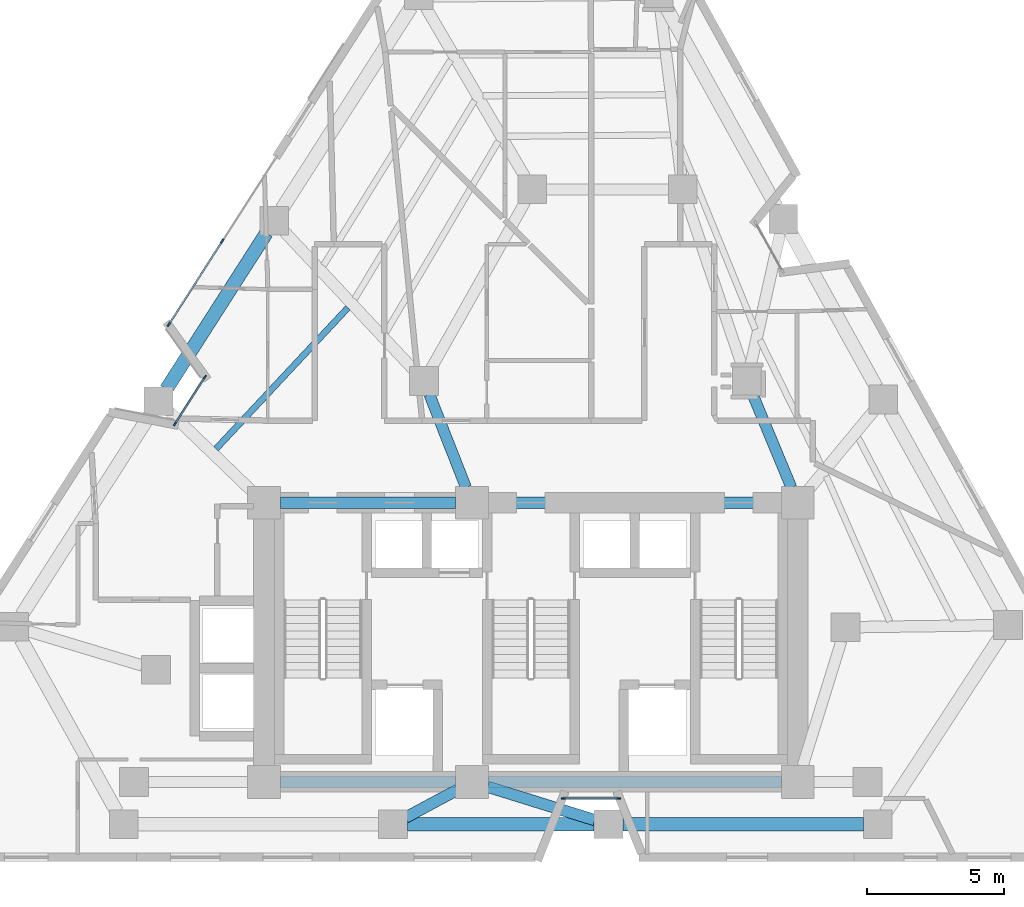
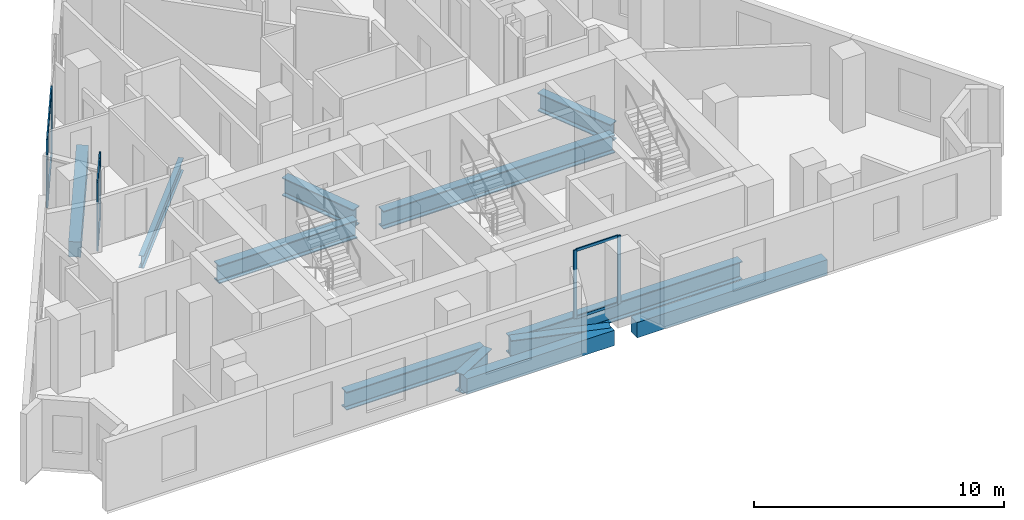
# One storey, part 2 of 11: 12 beams, 12 members, 3 elements without a shape of their own.
"""IFC4 building model written with IfcOpenShell, lengths in metres."""

from ifc_helpers import new_model, si_unit, direction, frame, origin, origin_2d, place, context, subcontext, project, spatial, rectangle, i_section, extrude, material, layer, layer_set, material_profile, profile_set, type_object, element, aggregate, save


model = new_model("IFC4")

# Units and contexts
model_context = context("Model", 3, precision=1e-05, world=origin(), true_north=direction((0.0, 1.0)))
body_context = subcontext(model_context, "Body", "Model", "MODEL_VIEW")
ifc_project = project(units=[si_unit("LENGTHUNIT", "METRE"), si_unit("AREAUNIT", "SQUARE_METRE"), si_unit("VOLUMEUNIT", "CUBIC_METRE"), si_unit("PLANEANGLEUNIT", "RADIAN"), si_unit("MASSUNIT", "GRAM", prefix="KILO")], contexts=[model_context])

# Site, building, storey
site_placement = place(None, origin())
site = spatial("IfcSite", under=ifc_project, at=site_placement, CompositionType="ELEMENT")
building_placement = place(site_placement, origin())
building = spatial("IfcBuilding", under=site, at=building_placement, Name="Almagre Mirador Tower", CompositionType="ELEMENT")
storey_placement = place(building_placement, frame((0.0, 0.0, 168.0)))
storey = spatial("IfcBuildingStorey", under=building, at=storey_placement, Name="L43", CompositionType="ELEMENT", Elevation=168.0)

# Beams
ifc_material_1 = material(Name="Steel ASTM A992 Grade 50", Category="steel")
ifc_material_profile_1 = material_profile(ifc_material_1, i_section(OverallWidth=0.22802734375, OverallDepth=0.60791015625, WebThickness=0.01123046875, FlangeThickness=0.017333984375, FilletRadius=0.02001953125, at=origin_2d()), Name="W24X76")
ifc_profile_set_1 = profile_set([ifc_material_profile_1], Name="Steel ASTM A992 Grade 50")
beam_type_1 = type_object("IfcBeamType", Name="BM-JST-W24X76", PredefinedType="JOIST", material=ifc_profile_set_1)
beam_1_placement = place(storey_placement, frame((30.613525390625, 21.8701171875, -0.553955078125), z_axis=(-0.683046255711, -0.730375117703, 0.0), x_axis=(0.730375117703, -0.683046255711, 0.0)))
element("IfcBeam", 1, at=beam_1_placement, inside=storey, type_object=beam_type_1, Name="L43 secondary floor joist PC10-PC11.2", PredefinedType="JOIST", context=body_context, shape_type="SweptSolid", body=[
    extrude(i_section(OverallWidth=0.22802734375, OverallDepth=0.60791015625, WebThickness=0.01123046875, FlangeThickness=0.017333984375, FilletRadius=0.02001953125, at=origin_2d()), origin(), (0.0, 0.0, 1.0), 7.04638671875),
])
ifc_material_2 = material(Name="Precast concrete C50/60", Category="concrete")
ifc_material_profile_2 = material_profile(ifc_material_2, rectangle(XDim=0.5, YDim=0.75, at=origin_2d()), Name="RC500X750")
ifc_profile_set_2 = profile_set([ifc_material_profile_2], Name="Precast concrete C50/60")
beam_type_2 = type_object("IfcBeamType", Name="BM-SPN-RC500X750", PredefinedType="SPANDREL", material=ifc_profile_set_2)
beam_2_placement = place(storey_placement, frame((32.7890625, 3.0, -0.625), z_axis=(1.0, 0.0, 0.0), x_axis=(0.0, 1.0, 0.0)))
element("IfcBeam", 2, at=beam_2_placement, inside=storey, type_object=beam_type_2, Name="L43 perimeter spandrel beam PC02-PC03", PredefinedType="SPANDREL", context=body_context, shape_type="SweptSolid", body=[
    extrude(rectangle(XDim=0.5, YDim=0.75, at=origin_2d()), origin(), (0.0, 0.0, 1.0), 6.822021484375),
])
beam_3_placement = place(storey_placement, frame((40.660888671875, 3.0, -0.625), z_axis=(1.0, 0.0, 0.0), x_axis=(0.0, 1.0, 0.0)))
element("IfcBeam", 3, at=beam_3_placement, inside=storey, type_object=beam_type_2, Name="L43 perimeter spandrel beam PC03-PC04", PredefinedType="SPANDREL", context=body_context, shape_type="SweptSolid", body=[
    extrude(rectangle(XDim=0.5, YDim=0.75, at=origin_2d()), origin(), (0.0, 0.0, 1.0), 8.7900390625),
])
beam_4_placement = place(storey_placement, frame((27.638916015625, 24.60693359375, -0.625), z_axis=(-0.539533906924, -0.841963872906, 0.0), x_axis=(0.841963872906, -0.539533906924, 0.0)))
element("IfcBeam", 4, at=beam_4_placement, inside=storey, type_object=beam_type_2, Name="L43 perimeter spandrel beam PC10-PC11", PredefinedType="SPANDREL", context=body_context, shape_type="SweptSolid", body=[
    extrude(rectangle(XDim=0.5, YDim=0.75, at=origin_2d()), origin(), (0.0, 0.0, 1.0), 6.779296875),
])
ifc_material_3 = material(Name="Steel ASTM A992 Grade 50", Category="steel")
ifc_material_profile_3 = material_profile(ifc_material_3, i_section(OverallWidth=0.404052734375, OverallDepth=0.884033203125, WebThickness=0.0244140625, FlangeThickness=0.0439453125, FilletRadius=0.02490234375, at=origin_2d()), Name="W33X291")
ifc_profile_set_3 = profile_set([ifc_material_profile_3], Name="Steel ASTM A992 Grade 50")
beam_type_3 = type_object("IfcBeamType", Name="BM-STL-W33X291", PredefinedType="BEAM", material=ifc_profile_set_3)
beam_5_placement = place(storey_placement, frame((28.14990234375, 4.550048828125, -0.69189453125), z_axis=(1.0, 0.0, 0.0), x_axis=(0.0, 1.0, 0.0)))
element("IfcBeam", 5, at=beam_5_placement, inside=storey, type_object=beam_type_3, Name="L43 core tie girder CC1-CC2", PredefinedType="BEAM", context=body_context, shape_type="SweptSolid", body=[
    extrude(i_section(OverallWidth=0.404052734375, OverallDepth=0.884033203125, WebThickness=0.0244140625, FlangeThickness=0.0439453125, FilletRadius=0.02490234375, at=origin_2d()), origin(), (0.0, 0.0, 1.0), 6.400146484375),
])
beam_6_placement = place(storey_placement, frame((35.75, 4.550048828125, -0.69189453125), z_axis=(1.0, 0.0, 0.0), x_axis=(0.0, 1.0, 0.0)))
element("IfcBeam", 6, at=beam_6_placement, inside=storey, type_object=beam_type_3, Name="L43 core tie girder CC2-CC3", PredefinedType="BEAM", context=body_context, shape_type="SweptSolid", body=[
    extrude(i_section(OverallWidth=0.404052734375, OverallDepth=0.884033203125, WebThickness=0.0244140625, FlangeThickness=0.0439453125, FilletRadius=0.02490234375, at=origin_2d()), origin(), (0.0, 0.0, 1.0), 10.699951171875),
])
beam_7_placement = place(storey_placement, frame((28.14990234375, 14.75, -0.69189453125), z_axis=(1.0, 0.0, 0.0), x_axis=(0.0, 1.0, 0.0)))
element("IfcBeam", 7, at=beam_7_placement, inside=storey, type_object=beam_type_3, Name="L43 core tie girder CC4-CC5", PredefinedType="BEAM", context=body_context, shape_type="SweptSolid", body=[
    extrude(i_section(OverallWidth=0.404052734375, OverallDepth=0.884033203125, WebThickness=0.0244140625, FlangeThickness=0.0439453125, FilletRadius=0.02490234375, at=origin_2d()), origin(), (0.0, 0.0, 1.0), 6.400146484375),
])
beam_8_placement = place(storey_placement, frame((35.75, 14.75, -0.69189453125), z_axis=(1.0, 0.0, 0.0), x_axis=(0.0, 1.0, 0.0)))
element("IfcBeam", 8, at=beam_8_placement, inside=storey, type_object=beam_type_3, Name="L43 core tie girder CC5-CC6", PredefinedType="BEAM", context=body_context, shape_type="SweptSolid", body=[
    extrude(i_section(OverallWidth=0.404052734375, OverallDepth=0.884033203125, WebThickness=0.0244140625, FlangeThickness=0.0439453125, FilletRadius=0.02490234375, at=origin_2d()), origin(), (0.0, 0.0, 1.0), 10.699951171875),
])
beam_9_placement = place(storey_placement, frame((45.401611328125, 18.715087890625, -0.69189453125), z_axis=(0.383845645019, -0.923397271384, 0.0), x_axis=(0.923397271384, 0.383845645019, 0.0)))
element("IfcBeam", 9, at=beam_9_placement, inside=storey, type_object=beam_type_3, Name="L43 core tie girder MC5-CC6", PredefinedType="BEAM", context=body_context, shape_type="SweptSolid", body=[
    extrude(i_section(OverallWidth=0.404052734375, OverallDepth=0.884033203125, WebThickness=0.0244140625, FlangeThickness=0.0439453125, FilletRadius=0.02490234375, at=origin_2d()), origin(), (0.0, 0.0, 1.0), 3.694091796875),
])
beam_10_placement = place(storey_placement, frame((33.592041015625, 18.71142578125, -0.69189453125), z_axis=(0.365997304164, -0.930615910752, 0.0), x_axis=(0.930615910752, 0.365997304164, 0.0)))
element("IfcBeam", 10, at=beam_10_placement, inside=storey, type_object=beam_type_3, Name="L43 core tie girder MC8-CC5", PredefinedType="BEAM", context=body_context, shape_type="SweptSolid", body=[
    extrude(i_section(OverallWidth=0.404052734375, OverallDepth=0.884033203125, WebThickness=0.0244140625, FlangeThickness=0.0439453125, FilletRadius=0.02490234375, at=origin_2d()), origin(), (0.0, 0.0, 1.0), 3.65673828125),
])
ifc_material_4 = material(Name="Steel ASTM A992 Grade 50", Category="steel")
ifc_material_profile_4 = material_profile(ifc_material_4, i_section(OverallWidth=0.41796875, OverallDepth=0.927001953125, WebThickness=0.019287109375, FlangeThickness=0.031982421875, FilletRadius=0.028076171875, at=origin_2d()), Name="W36X231")
ifc_profile_set_4 = profile_set([ifc_material_profile_4], Name="Steel ASTM A992 Grade 50")
beam_type_4 = type_object("IfcBeamType", Name="BM-STL-W36X231", PredefinedType="BEAM", material=ifc_profile_set_4)
beam_11_placement = place(storey_placement, frame((32.7265625, 3.248291015625, -0.71337890625), z_axis=(0.880944482784, 0.473219630038, 0.0), x_axis=(-0.473219630038, 0.880944482784, 0.0)))
element("IfcBeam", 11, at=beam_11_placement, inside=storey, type_object=beam_type_4, Name="L43 radial floor girder PC02-CC2", PredefinedType="BEAM", context=body_context, shape_type="SweptSolid", body=[
    extrude(i_section(OverallWidth=0.41796875, OverallDepth=0.927001953125, WebThickness=0.019287109375, FlangeThickness=0.031982421875, FilletRadius=0.028076171875, at=origin_2d()), origin(), (0.0, 0.0, 1.0), 2.15087890625),
])
beam_12_placement = place(storey_placement, frame((39.634765625, 3.15576171875, -0.71337890625), z_axis=(-0.954923245633, 0.296852816982, 0.0), x_axis=(-0.296852816982, -0.954923245633, 0.0)))
element("IfcBeam", 12, at=beam_12_placement, inside=storey, type_object=beam_type_4, Name="L43 radial floor girder PC03-CC2", PredefinedType="BEAM", context=body_context, shape_type="SweptSolid", body=[
    extrude(i_section(OverallWidth=0.41796875, OverallDepth=0.927001953125, WebThickness=0.019287109375, FlangeThickness=0.031982421875, FilletRadius=0.028076171875, at=origin_2d()), origin(), (0.0, 0.0, 1.0), 4.096435546875),
])

# Curtain wall, members
ifc_material_5 = material(Name="Black anodized aluminium", Category="aluminium")
ifc_layer_1 = layer(ifc_material_5, 0.169921875)
ifc_layer_set_1 = layer_set([ifc_layer_1], Name="Black anodized aluminium")
curtain_wall_type_1 = type_object("IfcCurtainWallType", Name="CW-CRS-SYS", PredefinedType="NOTDEFINED", material=ifc_layer_set_1)
curtain_wall_1_placement = place(storey_placement, origin())
curtain_wall_1 = element("IfcCurtainWall", 13, at=curtain_wall_1_placement, inside=storey, type_object=curtain_wall_type_1, Name="L43 vertical crease curtain wall 01", PredefinedType="NOTDEFINED")
ifc_material_6 = material(Name="Black anodized aluminium", Category="aluminium")
ifc_material_profile_5 = material_profile(ifc_material_6, rectangle(XDim=0.06005859375, YDim=0.14990234375, at=origin_2d()), Name="CWM60X150")
ifc_profile_set_5 = profile_set([ifc_material_profile_5], Name="Black anodized aluminium")
member_type_1 = type_object("IfcMemberType", Name="MBR-CWM60X150", PredefinedType="MULLION", material=ifc_profile_set_5)
member_1_placement = place(storey_placement, frame((24.296142578125, 17.628173828125, 0.0), z_axis=(0.0, 0.0, 1.0), x_axis=(-0.842141027103, 0.539257350873, 0.0)))
member_1 = element("IfcMember", 14, at=member_1_placement, type_object=member_type_1, Name="CW-4 mullion 1", PredefinedType="MULLION", context=body_context, shape_type="SweptSolid", body=[
    extrude(rectangle(XDim=0.06005859375, YDim=0.14990234375, at=origin_2d()), origin(), (0.0, 0.0, 1.0), 3.35009765625),
])
member_2_placement = place(storey_placement, frame((25.390869140625, 19.337646484375, 0.0), z_axis=(0.0, 0.0, 1.0), x_axis=(-0.842141027103, 0.539257350873, 0.0)))
member_2 = element("IfcMember", 15, at=member_2_placement, type_object=member_type_1, Name="CW-4 mullion 2", PredefinedType="MULLION", context=body_context, shape_type="SweptSolid", body=[
    extrude(rectangle(XDim=0.06005859375, YDim=0.14990234375, at=origin_2d()), origin(), (0.0, 0.0, 1.0), 3.35009765625),
])

curtain_wall_2_placement = place(storey_placement, origin())
curtain_wall_2 = element("IfcCurtainWall", 16, at=curtain_wall_2_placement, inside=storey, type_object=curtain_wall_type_1, Name="L43 vertical crease curtain wall 04", PredefinedType="NOTDEFINED")
member_3_placement = place(storey_placement, frame((40.510986328125, 3.949951171875, 0.0), z_axis=(0.0, 0.0, 1.0), x_axis=(0.0, -1.0, 0.0)))
member_3 = element("IfcMember", 17, at=member_3_placement, type_object=member_type_1, Name="CW-4 mullion 1", PredefinedType="MULLION", context=body_context, shape_type="SweptSolid", body=[
    extrude(rectangle(XDim=0.06005859375, YDim=0.14990234375, at=origin_2d()), origin(), (0.0, 0.0, 1.0), 3.35009765625),
])
member_4_placement = place(storey_placement, frame((38.48095703125, 3.949951171875, 0.0), z_axis=(0.0, 0.0, 1.0), x_axis=(0.0, -1.0, 0.0)))
member_4 = element("IfcMember", 18, at=member_4_placement, type_object=member_type_1, Name="CW-4 mullion 2", PredefinedType="MULLION", context=body_context, shape_type="SweptSolid", body=[
    extrude(rectangle(XDim=0.06005859375, YDim=0.14990234375, at=origin_2d()), origin(), (0.0, 0.0, 1.0), 3.35009765625),
])

ifc_material_7 = material(Name="Black anodized aluminium", Category="aluminium")
ifc_layer_2 = layer(ifc_material_7, 0.199951171875)
ifc_layer_set_2 = layer_set([ifc_layer_2], Name="Black anodized aluminium")
curtain_wall_type_2 = type_object("IfcCurtainWallType", Name="CW-RES-H-SYS", PredefinedType="NOTDEFINED", material=ifc_layer_set_2)
curtain_wall_3_placement = place(storey_placement, origin())
curtain_wall_3 = element("IfcCurtainWall", 19, at=curtain_wall_3_placement, inside=storey, type_object=curtain_wall_type_2, Name="L43 curtain wall run 02", PredefinedType="NOTDEFINED")
ifc_material_8 = material(Name="Black anodized aluminium", Category="aluminium")
ifc_material_profile_6 = material_profile(ifc_material_8, rectangle(XDim=0.06494140625, YDim=0.179931640625, at=origin_2d()), Name="CWM65X180")
ifc_profile_set_6 = profile_set([ifc_material_profile_6], Name="Black anodized aluminium")
member_type_2 = type_object("IfcMemberType", Name="MBR-CWM65X180", PredefinedType="MULLION", material=ifc_profile_set_6)
member_5_placement = place(storey_placement, frame((24.075439453125, 21.270263671875, 0.0), z_axis=(0.0, 0.0, 1.0), x_axis=(-0.84195993744, 0.539540048324, 0.0)))
member_5 = element("IfcMember", 20, at=member_5_placement, type_object=member_type_2, Name="CW-3 mullion 1", PredefinedType="MULLION", context=body_context, shape_type="SweptSolid", body=[
    extrude(rectangle(XDim=0.06494140625, YDim=0.179931640625, at=origin_2d()), origin(), (0.0, 0.0, 1.0), 3.35009765625),
])
member_6_placement = place(storey_placement, frame((26.02197265625, 24.307861328125, 0.0), z_axis=(0.0, 0.0, 1.0), x_axis=(-0.84195993744, 0.539540048324, 0.0)))
member_6 = element("IfcMember", 21, at=member_6_placement, type_object=member_type_2, Name="CW-3 mullion 2", PredefinedType="MULLION", context=body_context, shape_type="SweptSolid", body=[
    extrude(rectangle(XDim=0.06494140625, YDim=0.179931640625, at=origin_2d()), origin(), (0.0, 0.0, 1.0), 3.35009765625),
])

# Member
ifc_material_9 = material(Name="Black anodized aluminium", Category="aluminium")
ifc_material_profile_7 = material_profile(ifc_material_9, rectangle(XDim=0.06005859375, YDim=0.1298828125, at=origin_2d()), Name="CWT60X130")
ifc_profile_set_7 = profile_set([ifc_material_profile_7], Name="Black anodized aluminium")
member_type_3 = type_object("IfcMemberType", Name="MBR-CWT60X130", PredefinedType="USERDEFINED", material=ifc_profile_set_7)
member_7_placement = place(storey_placement, frame((24.312255859375, 17.653564453125, 0.030029296875), z_axis=(0.539335001379, 0.842091299259, 0.0), x_axis=(-0.842091299259, 0.539335001379, 0.0)))
member_7 = element("IfcMember", 22, at=member_7_placement, type_object=member_type_3, Name="CW-4 transom 1.1", ObjectType="TRANSOM", PredefinedType="USERDEFINED", context=body_context, shape_type="SweptSolid", body=[
    extrude(rectangle(XDim=0.06005859375, YDim=0.1298828125, at=origin_2d()), origin(), (0.0, 0.0, 1.0), 1.969970703125),
])

member_8_placement = place(storey_placement, frame((24.312255859375, 17.653564453125, 3.320068359375), z_axis=(0.539335001379, 0.842091299259, 0.0), x_axis=(-0.842091299259, 0.539335001379, 0.0)))
member_8 = element("IfcMember", 23, at=member_8_placement, type_object=member_type_3, Name="CW-4 transom 1.2", ObjectType="TRANSOM", PredefinedType="USERDEFINED", context=body_context, shape_type="SweptSolid", body=[
    extrude(rectangle(XDim=0.06005859375, YDim=0.1298828125, at=origin_2d()), origin(), (0.0, 0.0, 1.0), 1.969970703125),
])

aggregate(curtain_wall_1, [member_1, member_2, member_7, member_8])

member_9_placement = place(storey_placement, frame((40.48095703125, 3.949951171875, 0.030029296875), z_axis=(-1.0, 0.0, 0.0), x_axis=(0.0, -1.0, 0.0)))
member_9 = element("IfcMember", 24, at=member_9_placement, type_object=member_type_3, Name="CW-4 transom 1.1", ObjectType="TRANSOM", PredefinedType="USERDEFINED", context=body_context, shape_type="SweptSolid", body=[
    extrude(rectangle(XDim=0.06005859375, YDim=0.1298828125, at=origin_2d()), origin(), (0.0, 0.0, 1.0), 1.969970703125),
])

member_10_placement = place(storey_placement, frame((40.48095703125, 3.949951171875, 3.320068359375), z_axis=(-1.0, 0.0, 0.0), x_axis=(0.0, -1.0, 0.0)))
member_10 = element("IfcMember", 25, at=member_10_placement, type_object=member_type_3, Name="CW-4 transom 1.2", ObjectType="TRANSOM", PredefinedType="USERDEFINED", context=body_context, shape_type="SweptSolid", body=[
    extrude(rectangle(XDim=0.06005859375, YDim=0.1298828125, at=origin_2d()), origin(), (0.0, 0.0, 1.0), 1.969970703125),
])

aggregate(curtain_wall_2, [member_3, member_4, member_9, member_10])

ifc_material_10 = material(Name="Black anodized aluminium", Category="aluminium")
ifc_material_profile_8 = material_profile(ifc_material_10, rectangle(XDim=0.06494140625, YDim=0.14990234375, at=origin_2d()), Name="CWT65X150")
ifc_profile_set_8 = profile_set([ifc_material_profile_8], Name="Black anodized aluminium")
member_type_4 = type_object("IfcMemberType", Name="MBR-CWT65X150", PredefinedType="USERDEFINED", material=ifc_profile_set_8)
member_11_placement = place(storey_placement, frame((24.093017578125, 21.297607421875, 0.032470703125), z_axis=(0.539517073846, 0.841974659375, 0.0), x_axis=(-0.841974659375, 0.539517073846, 0.0)))
member_11 = element("IfcMember", 26, at=member_11_placement, type_object=member_type_4, Name="CW-3 transom 1.1", ObjectType="TRANSOM", PredefinedType="USERDEFINED", context=body_context, shape_type="SweptSolid", body=[
    extrude(rectangle(XDim=0.06494140625, YDim=0.14990234375, at=origin_2d()), origin(), (0.0, 0.0, 1.0), 3.542724609375),
])

member_12_placement = place(storey_placement, frame((24.093017578125, 21.297607421875, 3.3173828125), z_axis=(0.539517073846, 0.841974659375, 0.0), x_axis=(-0.841974659375, 0.539517073846, 0.0)))
member_12 = element("IfcMember", 27, at=member_12_placement, type_object=member_type_4, Name="CW-3 transom 1.2", ObjectType="TRANSOM", PredefinedType="USERDEFINED", context=body_context, shape_type="SweptSolid", body=[
    extrude(rectangle(XDim=0.06494140625, YDim=0.14990234375, at=origin_2d()), origin(), (0.0, 0.0, 1.0), 3.542724609375),
])

aggregate(curtain_wall_3, [member_5, member_6, member_11, member_12])

save(model, "model.ifc")
